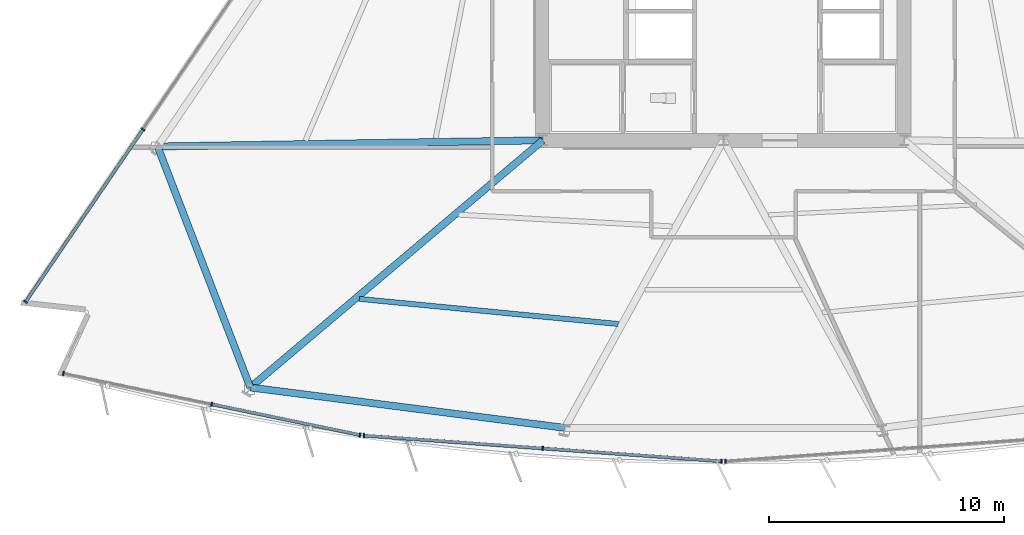
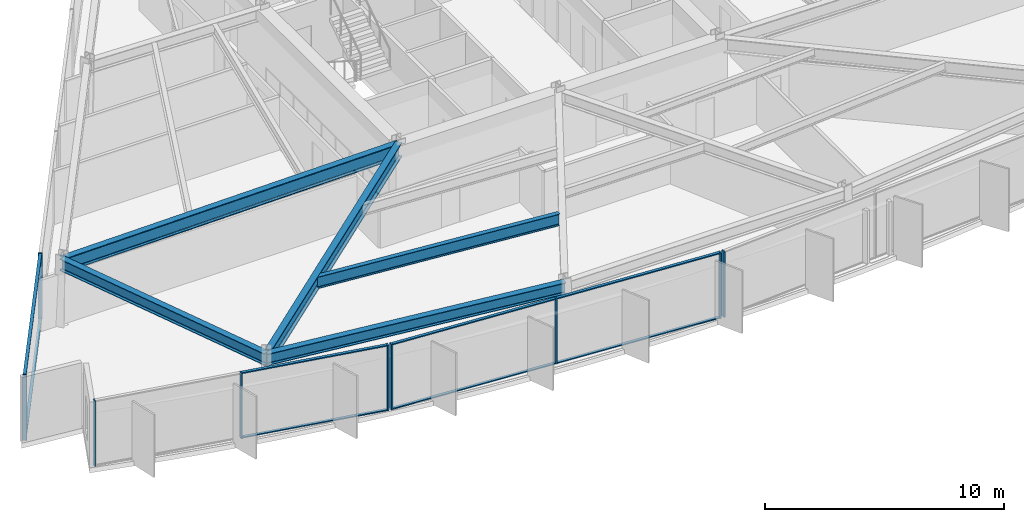
# One storey, part 2 of 16: 17 members, 5 beams, 4 elements without a shape of their own.
"""IFC4 building model written with IfcOpenShell, lengths in metres."""

from ifc_helpers import new_model, si_unit, direction, frame, origin, origin_2d, place, context, subcontext, project, spatial, rectangle, i_section, extrude, material, material_profile, profile_set, type_object, element, aggregate, save


model = new_model("IFC4")

# Units and contexts
model_context = context("Model", 3, precision=1e-05, world=origin(), true_north=direction((0.0, 1.0)))
body_context = subcontext(model_context, "Body", "Model", "MODEL_VIEW")
ifc_project = project(units=[si_unit("LENGTHUNIT", "METRE"), si_unit("AREAUNIT", "SQUARE_METRE"), si_unit("VOLUMEUNIT", "CUBIC_METRE"), si_unit("PLANEANGLEUNIT", "RADIAN"), si_unit("MASSUNIT", "GRAM", prefix="KILO")], contexts=[model_context])

# Site, building, storey
site_placement = place(None, origin())
site = spatial("IfcSite", under=ifc_project, at=site_placement, CompositionType="ELEMENT")
building_placement = place(site_placement, origin())
building = spatial("IfcBuilding", under=site, at=building_placement, Name="Savorim Split Tower", CompositionType="ELEMENT")
storey_placement = place(building_placement, frame((0.0, 0.0, 33.60009765625)))
storey = spatial("IfcBuildingStorey", under=building, at=storey_placement, Name="L08", CompositionType="ELEMENT", Elevation=33.60009765625)

# Beams
ifc_material_1 = material(Name="Steel S355", Category="steel")
ifc_material_profile_1 = material_profile(ifc_material_1, i_section(OverallWidth=0.219970703125, OverallDepth=0.60009765625, WebThickness=0.011962890625, FlangeThickness=0.01904296875, FilletRadius=0.02392578125, at=origin_2d()), Name="IPE 600")
ifc_profile_set_1 = profile_set([ifc_material_profile_1], Name="Steel S355")
beam_type_1 = type_object("IfcBeamType", Name="BM-JST-IPE600", PredefinedType="JOIST", material=ifc_profile_set_1)
beam_1_placement = place(storey_placement, frame((-15.516357421875, -16.1552734375, 3.0498046875), z_axis=(0.995327028427, -0.096561413013, 0.0), x_axis=(0.096561413013, 0.995327028427, 0.0)))
element("IfcBeam", 1, at=beam_1_placement, inside=storey, type_object=beam_type_1, Name="L08 Secondary Floor Joist JS-01", PredefinedType="JOIST", context=body_context, shape_type="SweptSolid", body=[
    extrude(i_section(OverallWidth=0.219970703125, OverallDepth=0.60009765625, WebThickness=0.011962890625, FlangeThickness=0.01904296875, FilletRadius=0.02392578125, at=origin_2d()), origin(), (0.0, 0.0, 1.0), 11.084228515625),
])
ifc_material_2 = material(Name="Steel S460", Category="steel")
ifc_material_profile_2 = material_profile(ifc_material_2, i_section(OverallWidth=0.303955078125, OverallDepth=0.716064453125, WebThickness=0.02099609375, FlangeThickness=0.0400390625, FilletRadius=0.027099609375, at=origin_2d()), Name="HE 700 M")
ifc_profile_set_2 = profile_set([ifc_material_profile_2], Name="Steel S460")
beam_type_2 = type_object("IfcBeamType", Name="BM-PRI-HEM700", PredefinedType="BEAM", material=ifc_profile_set_2)
beam_2_placement = place(storey_placement, frame((-20.162109375, -19.930908203125, 2.991943359375), z_axis=(0.763806130809, 0.645445733225, 0.0), x_axis=(-0.645445733225, 0.763806130809, 0.0)))
element("IfcBeam", 2, at=beam_2_placement, inside=storey, type_object=beam_type_2, Name="L08 Primary Floor Girder RG-01", PredefinedType="BEAM", context=body_context, shape_type="SweptSolid", body=[
    extrude(i_section(OverallWidth=0.303955078125, OverallDepth=0.716064453125, WebThickness=0.02099609375, FlangeThickness=0.0400390625, FilletRadius=0.027099609375, at=origin_2d()), origin(), (0.0, 0.0, 1.0), 16.31591796875),
])
beam_3_placement = place(storey_placement, frame((-24.11279296875, -9.66162109375, 2.991943359375), z_axis=(0.999872887196, 0.01594394715, 0.0), x_axis=(-0.01594394715, 0.999872887196, 0.0)))
element("IfcBeam", 3, at=beam_3_placement, inside=storey, type_object=beam_type_2, Name="L08 Primary Floor Girder RG-10", PredefinedType="BEAM", context=body_context, shape_type="SweptSolid", body=[
    extrude(i_section(OverallWidth=0.303955078125, OverallDepth=0.716064453125, WebThickness=0.02099609375, FlangeThickness=0.0400390625, FilletRadius=0.027099609375, at=origin_2d()), origin(), (0.0, 0.0, 1.0), 16.4150390625),
])
ifc_material_profile_3 = material_profile(ifc_material_1, i_section(OverallWidth=0.300048828125, OverallDepth=0.590087890625, WebThickness=0.012939453125, FlangeThickness=0.02490234375, FilletRadius=0.027099609375, at=origin_2d()), Name="HEA 600")
ifc_profile_set_3 = profile_set([ifc_material_profile_3], Name="Steel S355")
beam_type_3 = type_object("IfcBeamType", Name="BM-SPN-HEA600", PredefinedType="SPANDREL", material=ifc_profile_set_3)
beam_4_placement = place(storey_placement, frame((-20.162109375, -19.930908203125, 3.054931640625), z_axis=(0.99185938997, -0.127337938293, 0.0), x_axis=(0.127337938293, 0.99185938997, 0.0)))
element("IfcBeam", 4, at=beam_4_placement, inside=storey, type_object=beam_type_3, Name="L08 Perimeter Spandrel Beam 1", PredefinedType="SPANDREL", context=body_context, shape_type="SweptSolid", body=[
    extrude(i_section(OverallWidth=0.300048828125, OverallDepth=0.590087890625, WebThickness=0.012939453125, FlangeThickness=0.02490234375, FilletRadius=0.027099609375, at=origin_2d()), origin(), (0.0, 0.0, 1.0), 13.514892578125),
])
beam_5_placement = place(storey_placement, frame((-24.11279296875, -9.66162109375, 3.054931640625), z_axis=(0.359054908022, -0.933316437777, 0.0), x_axis=(0.933316437777, 0.359054908022, 0.0)))
element("IfcBeam", 5, at=beam_5_placement, inside=storey, type_object=beam_type_3, Name="L08 Perimeter Spandrel Beam 10", PredefinedType="SPANDREL", context=body_context, shape_type="SweptSolid", body=[
    extrude(i_section(OverallWidth=0.300048828125, OverallDepth=0.590087890625, WebThickness=0.012939453125, FlangeThickness=0.02490234375, FilletRadius=0.027099609375, at=origin_2d()), origin(), (0.0, 0.0, 1.0), 11.0029296875),
])

# Curtain wall, members
ifc_material_3 = material(Name="Dark Ceramic-Fritted Insulated Glass", Category="glass")
curtain_wall_type = type_object("IfcCurtainWallType", Name="CW-TWR-FRIT-A", PredefinedType="NOTDEFINED", material=ifc_material_3)
curtain_wall_1_placement = place(storey_placement, origin())
curtain_wall_1 = element("IfcCurtainWall", 6, at=curtain_wall_1_placement, inside=storey, type_object=curtain_wall_type, Name="L08 Curtain Wall CW-L08-SF1", PredefinedType="NOTDEFINED")
ifc_material_4 = material(Name="Charcoal Anodised Aluminium", Category="aluminium")
ifc_material_profile_4 = material_profile(ifc_material_4, rectangle(XDim=0.179931640625, YDim=0.06494140625, at=origin_2d()), Name="ALU-M 180x65")
ifc_profile_set_4 = profile_set([ifc_material_profile_4], Name="Charcoal Anodised Aluminium")
member_type_1 = type_object("IfcMemberType", Name="CWM-180x65", PredefinedType="MULLION", material=ifc_profile_set_4)
member_1_placement = place(storey_placement, frame((-28.12841796875, -19.333740234375, 0.0), z_axis=(0.0, 0.0, 1.0), x_axis=(0.203210322793, 0.979135110549, 0.0)))
member_1 = element("IfcMember", 7, at=member_1_placement, type_object=member_type_1, Name="CW-02 mullion 1", PredefinedType="MULLION", context=body_context, shape_type="SweptSolid", body=[
    extrude(rectangle(XDim=0.179931640625, YDim=0.06494140625, at=origin_2d()), origin(), (0.0, 0.0, 1.0), 3.349853515625),
])
member_2_placement = place(storey_placement, frame((-21.807861328125, -20.6455078125, 0.0), z_axis=(0.0, 0.0, 1.0), x_axis=(0.203210322793, 0.979135110549, 0.0)))
member_2 = element("IfcMember", 8, at=member_2_placement, type_object=member_type_1, Name="CW-02 mullion 2", PredefinedType="MULLION", context=body_context, shape_type="SweptSolid", body=[
    extrude(rectangle(XDim=0.179931640625, YDim=0.06494140625, at=origin_2d()), origin(), (0.0, 0.0, 1.0), 3.349853515625),
])
member_3_placement = place(storey_placement, frame((-15.487548828125, -21.957275390625, 0.0), z_axis=(0.0, 0.0, 1.0), x_axis=(0.203210322793, 0.979135110549, 0.0)))
member_3 = element("IfcMember", 9, at=member_3_placement, type_object=member_type_1, Name="CW-02 mullion 3", PredefinedType="MULLION", context=body_context, shape_type="SweptSolid", body=[
    extrude(rectangle(XDim=0.179931640625, YDim=0.06494140625, at=origin_2d()), origin(), (0.0, 0.0, 1.0), 3.349853515625),
])

curtain_wall_2_placement = place(storey_placement, origin())
curtain_wall_2 = element("IfcCurtainWall", 10, at=curtain_wall_2_placement, inside=storey, type_object=curtain_wall_type, Name="L08 Curtain Wall CW-L08-SF2", PredefinedType="NOTDEFINED")
member_4_placement = place(storey_placement, frame((-15.320556640625, -21.98046875, 0.0), z_axis=(0.0, 0.0, 1.0), x_axis=(0.071560199658, 0.997436282589, 0.0)))
member_4 = element("IfcMember", 11, at=member_4_placement, type_object=member_type_1, Name="CW-02 mullion 1", PredefinedType="MULLION", context=body_context, shape_type="SweptSolid", body=[
    extrude(rectangle(XDim=0.179931640625, YDim=0.06494140625, at=origin_2d()), origin(), (0.0, 0.0, 1.0), 3.349853515625),
])
member_5_placement = place(storey_placement, frame((-7.7021484375, -22.527099609375, 0.0), z_axis=(0.0, 0.0, 1.0), x_axis=(0.071560199658, 0.997436282589, 0.0)))
member_5 = element("IfcMember", 12, at=member_5_placement, type_object=member_type_1, Name="CW-02 mullion 2", PredefinedType="MULLION", context=body_context, shape_type="SweptSolid", body=[
    extrude(rectangle(XDim=0.179931640625, YDim=0.06494140625, at=origin_2d()), origin(), (0.0, 0.0, 1.0), 3.349853515625),
])
member_6_placement = place(storey_placement, frame((-0.083740234375, -23.07373046875, 0.0), z_axis=(0.0, 0.0, 1.0), x_axis=(0.071560199658, 0.997436282589, 0.0)))
member_6 = element("IfcMember", 13, at=member_6_placement, type_object=member_type_1, Name="CW-02 mullion 3", PredefinedType="MULLION", context=body_context, shape_type="SweptSolid", body=[
    extrude(rectangle(XDim=0.179931640625, YDim=0.06494140625, at=origin_2d()), origin(), (0.0, 0.0, 1.0), 3.349853515625),
])

# Curtain wall, member
curtain_wall_3_placement = place(storey_placement, origin())
curtain_wall_3 = element("IfcCurtainWall", 14, at=curtain_wall_3_placement, inside=storey, type_object=curtain_wall_type, Name="L08 Curtain Wall CW-L08-SF3", PredefinedType="NOTDEFINED")
member_7_placement = place(storey_placement, frame((0.083740234375, -23.07373046875, 0.0), z_axis=(0.0, 0.0, 1.0), x_axis=(-0.071560199658, 0.997436282589, 0.0)))
member_7 = element("IfcMember", 15, at=member_7_placement, type_object=member_type_1, Name="CW-02 mullion 1", PredefinedType="MULLION", context=body_context, shape_type="SweptSolid", body=[
    extrude(rectangle(XDim=0.179931640625, YDim=0.06494140625, at=origin_2d()), origin(), (0.0, 0.0, 1.0), 3.349853515625),
])
aggregate(curtain_wall_3, [member_7])

# Curtain wall, members
curtain_wall_4_placement = place(storey_placement, origin())
curtain_wall_4 = element("IfcCurtainWall", 16, at=curtain_wall_4_placement, inside=storey, type_object=curtain_wall_type, Name="L08 Curtain Wall CW-L08-WEST", PredefinedType="NOTDEFINED")
member_8_placement = place(storey_placement, frame((-24.735107421875, -8.93408203125, 0.0), z_axis=(0.0, 0.0, 1.0), x_axis=(0.826820923165, -0.562465253164, 0.0)))
member_8 = element("IfcMember", 17, at=member_8_placement, type_object=member_type_1, Name="CW-02 mullion 4", PredefinedType="MULLION", context=body_context, shape_type="SweptSolid", body=[
    extrude(rectangle(XDim=0.179931640625, YDim=0.06494140625, at=origin_2d()), origin(), (0.0, 0.0, 1.0), 3.349853515625),
])
member_9_placement = place(storey_placement, frame((-29.73388671875, -16.2822265625, 0.0), z_axis=(0.0, 0.0, 1.0), x_axis=(0.826820923165, -0.562465253164, 0.0)))
member_9 = element("IfcMember", 18, at=member_9_placement, type_object=member_type_1, Name="CW-02 mullion 5", PredefinedType="MULLION", context=body_context, shape_type="SweptSolid", body=[
    extrude(rectangle(XDim=0.179931640625, YDim=0.06494140625, at=origin_2d()), origin(), (0.0, 0.0, 1.0), 3.349853515625),
])

# Member
ifc_material_profile_5 = material_profile(ifc_material_4, rectangle(XDim=0.139892578125, YDim=0.054931640625, at=origin_2d()), Name="ALU-T 140x55")
ifc_profile_set_5 = profile_set([ifc_material_profile_5], Name="Charcoal Anodised Aluminium")
member_type_2 = type_object("IfcMemberType", Name="CWT-140x55", PredefinedType="USERDEFINED", material=ifc_profile_set_5)
member_10_placement = place(storey_placement, frame((-21.776123046875, -20.652099609375, 0.02734375), z_axis=(0.979133980901, -0.203215765741, 0.0), x_axis=(0.203215765741, 0.979133980901, 0.0)))
member_10 = element("IfcMember", 19, at=member_10_placement, type_object=member_type_2, Name="CW-02 transom 2.1", ObjectType="TRANSOM", PredefinedType="USERDEFINED", context=body_context, shape_type="SweptSolid", body=[
    extrude(rectangle(XDim=0.139892578125, YDim=0.054931640625, at=origin_2d()), origin(), (0.0, 0.0, 1.0), 6.39013671875),
])

member_11_placement = place(storey_placement, frame((-21.776123046875, -20.652099609375, 3.322509765625), z_axis=(0.979133980901, -0.203215765741, 0.0), x_axis=(0.203215765741, 0.979133980901, 0.0)))
member_11 = element("IfcMember", 20, at=member_11_placement, type_object=member_type_2, Name="CW-02 transom 2.2", ObjectType="TRANSOM", PredefinedType="USERDEFINED", context=body_context, shape_type="SweptSolid", body=[
    extrude(rectangle(XDim=0.139892578125, YDim=0.054931640625, at=origin_2d()), origin(), (0.0, 0.0, 1.0), 6.39013671875),
])

aggregate(curtain_wall_1, [member_1, member_2, member_3, member_10, member_11])

member_12_placement = place(storey_placement, frame((-15.2880859375, -21.98291015625, 0.02734375), z_axis=(0.997437873969, -0.071538014879, 0.0), x_axis=(0.071538014879, 0.997437873969, 0.0)))
member_12 = element("IfcMember", 21, at=member_12_placement, type_object=member_type_2, Name="CW-02 transom 1.1", ObjectType="TRANSOM", PredefinedType="USERDEFINED", context=body_context, shape_type="SweptSolid", body=[
    extrude(rectangle(XDim=0.139892578125, YDim=0.054931640625, at=origin_2d()), origin(), (0.0, 0.0, 1.0), 7.57275390625),
])

member_13_placement = place(storey_placement, frame((-15.2880859375, -21.98291015625, 3.322509765625), z_axis=(0.997437873969, -0.071538014879, 0.0), x_axis=(0.071538014879, 0.997437873969, 0.0)))
member_13 = element("IfcMember", 22, at=member_13_placement, type_object=member_type_2, Name="CW-02 transom 1.2", ObjectType="TRANSOM", PredefinedType="USERDEFINED", context=body_context, shape_type="SweptSolid", body=[
    extrude(rectangle(XDim=0.139892578125, YDim=0.054931640625, at=origin_2d()), origin(), (0.0, 0.0, 1.0), 7.57275390625),
])

member_14_placement = place(storey_placement, frame((-7.669677734375, -22.529541015625, 0.02734375), z_axis=(0.997437873969, -0.071538014879, 0.0), x_axis=(0.071538014879, 0.997437873969, 0.0)))
member_14 = element("IfcMember", 23, at=member_14_placement, type_object=member_type_2, Name="CW-02 transom 2.1", ObjectType="TRANSOM", PredefinedType="USERDEFINED", context=body_context, shape_type="SweptSolid", body=[
    extrude(rectangle(XDim=0.139892578125, YDim=0.054931640625, at=origin_2d()), origin(), (0.0, 0.0, 1.0), 7.57275390625),
])

member_15_placement = place(storey_placement, frame((-7.669677734375, -22.529541015625, 3.322509765625), z_axis=(0.997437873969, -0.071538014879, 0.0), x_axis=(0.071538014879, 0.997437873969, 0.0)))
member_15 = element("IfcMember", 24, at=member_15_placement, type_object=member_type_2, Name="CW-02 transom 2.2", ObjectType="TRANSOM", PredefinedType="USERDEFINED", context=body_context, shape_type="SweptSolid", body=[
    extrude(rectangle(XDim=0.139892578125, YDim=0.054931640625, at=origin_2d()), origin(), (0.0, 0.0, 1.0), 7.57275390625),
])

aggregate(curtain_wall_2, [member_4, member_5, member_6, member_12, member_13, member_14, member_15])

member_16_placement = place(storey_placement, frame((-24.75341796875, -8.9609375, 0.02734375), z_axis=(-0.562460641037, -0.826824060659, 0.0), x_axis=(0.826824060659, -0.562460641037, 0.0)))
member_16 = element("IfcMember", 25, at=member_16_placement, type_object=member_type_2, Name="CW-02 transom 4.1", ObjectType="TRANSOM", PredefinedType="USERDEFINED", context=body_context, shape_type="SweptSolid", body=[
    extrude(rectangle(XDim=0.139892578125, YDim=0.054931640625, at=origin_2d()), origin(), (0.0, 0.0, 1.0), 8.822265625),
])

member_17_placement = place(storey_placement, frame((-24.75341796875, -8.9609375, 3.322509765625), z_axis=(-0.562460641037, -0.826824060659, 0.0), x_axis=(0.826824060659, -0.562460641037, 0.0)))
member_17 = element("IfcMember", 26, at=member_17_placement, type_object=member_type_2, Name="CW-02 transom 4.2", ObjectType="TRANSOM", PredefinedType="USERDEFINED", context=body_context, shape_type="SweptSolid", body=[
    extrude(rectangle(XDim=0.139892578125, YDim=0.054931640625, at=origin_2d()), origin(), (0.0, 0.0, 1.0), 8.822265625),
])

aggregate(curtain_wall_4, [member_8, member_9, member_16, member_17])

save(model, "model.ifc")
